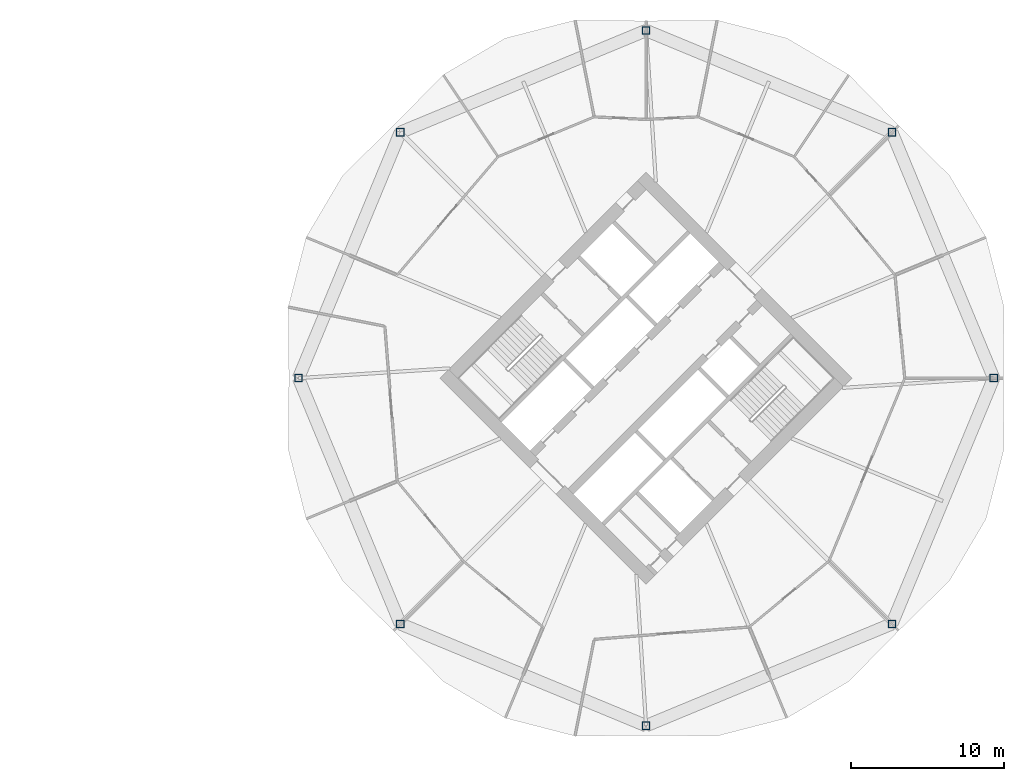
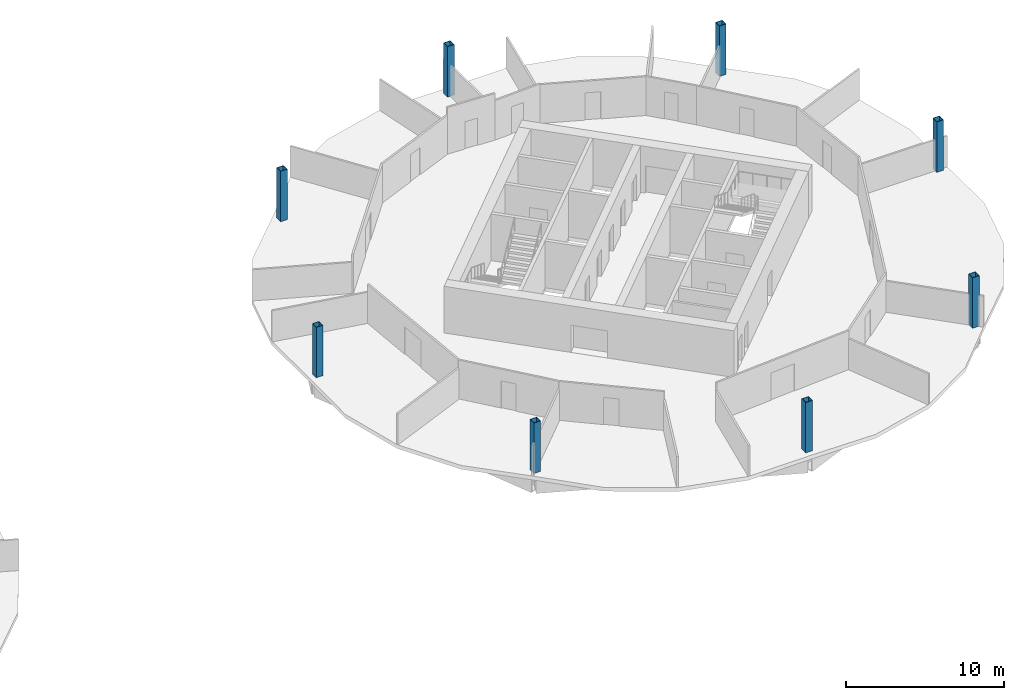
# One storey, part 2 of 9: 8 columns.
"""IFC4 building model written with IfcOpenShell, lengths in metres."""

from ifc_helpers import new_model, si_unit, direction, frame, origin, origin_2d, place, context, subcontext, project, spatial, hollow_rectangle, extrude, material, material_profile, profile_set, type_object, element, save


model = new_model("IFC4")

# Units and contexts
model_context = context("Model", 3, precision=1e-05, world=origin(), true_north=direction((0.0, 1.0)))
body_context = subcontext(model_context, "Body", "Model", "MODEL_VIEW")
ifc_project = project(units=[si_unit("LENGTHUNIT", "METRE"), si_unit("AREAUNIT", "SQUARE_METRE"), si_unit("VOLUMEUNIT", "CUBIC_METRE"), si_unit("PLANEANGLEUNIT", "RADIAN"), si_unit("MASSUNIT", "GRAM", prefix="KILO")], contexts=[model_context])

# Site, building, storey
site_placement = place(None, origin())
site = spatial("IfcSite", under=ifc_project, at=site_placement, CompositionType="ELEMENT")
building_placement = place(site_placement, origin())
building = spatial("IfcBuilding", under=site, at=building_placement, Name="Ogive Gate Towers", CompositionType="ELEMENT")
storey_placement = place(building_placement, frame((0.0, 0.0, 84.0)))
storey = spatial("IfcBuildingStorey", under=building, at=storey_placement, Name="L19", CompositionType="ELEMENT", Elevation=84.0)

# Columns
ifc_material = material(Name="Steel SM460", Category="steel")
ifc_material_profile = material_profile(ifc_material, hollow_rectangle(XDim=0.5, YDim=0.5, WallThickness=0.030029296875, at=origin_2d()), Name="BX 500x500x30")
ifc_profile_set = profile_set([ifc_material_profile], Name="Steel SM460")
column_type = type_object("IfcColumnType", Name="Perimeter post BX 500x500x30", PredefinedType="COLUMN", material=ifc_profile_set)
for number, where, z_axis, x_axis, name in (
    (1, (58.669921875, 0.0, 0.0), (0.0, 0.0, 1.0), (1.0, 0.0, 0.0), "T2/L19/SCL001"),
    (2, (52.030029296875, 16.030029296875, 0.0), (0.0, 0.0, 1.0), (1.0, 0.0, 0.0), "T2/L19/SCL002"),
    (3, (36.0, 22.669921875, 0.0), (0.0, 0.0, 1.0), (1.0, 0.0, 0.0), "T2/L19/SCL003"),
    (4, (19.969970703125, 16.030029296875, 0.0), (0.0, 0.0, 1.0), (1.0, 0.0, 0.0), "T2/L19/SCL004"),
    (5, (13.330078125, 0.0, 0.0), (0.0, 0.0, 1.0), (1.0, 0.0, 0.0), "T2/L19/SCL005"),
    (6, (19.969970703125, -16.030029296875, 0.0), (0.0, 0.0, 1.0), (1.0, 0.0, 0.0), "T2/L19/SCL006"),
    (7, (36.0, -22.669921875, 0.0), (0.0, 0.0, 1.0), (1.0, 0.0, 0.0), "T2/L19/SCL007"),
    (8, (52.030029296875, -16.030029296875, 0.0), (0.0, 0.0, 1.0), (1.0, 0.0, 0.0), "T2/L19/SCL008"),
):
    element("IfcColumn", number, at=place(storey_placement, frame(where, z_axis=z_axis, x_axis=x_axis)), inside=storey, type_object=column_type, Name=name, PredefinedType="COLUMN", context=body_context, shape_type="SweptSolid", body=[
        extrude(hollow_rectangle(XDim=0.5, YDim=0.5, WallThickness=0.030029296875, at=origin_2d()), origin(), (0.0, 0.0, 1.0), 3.89990234375),
    ])

save(model, "model.ifc")
